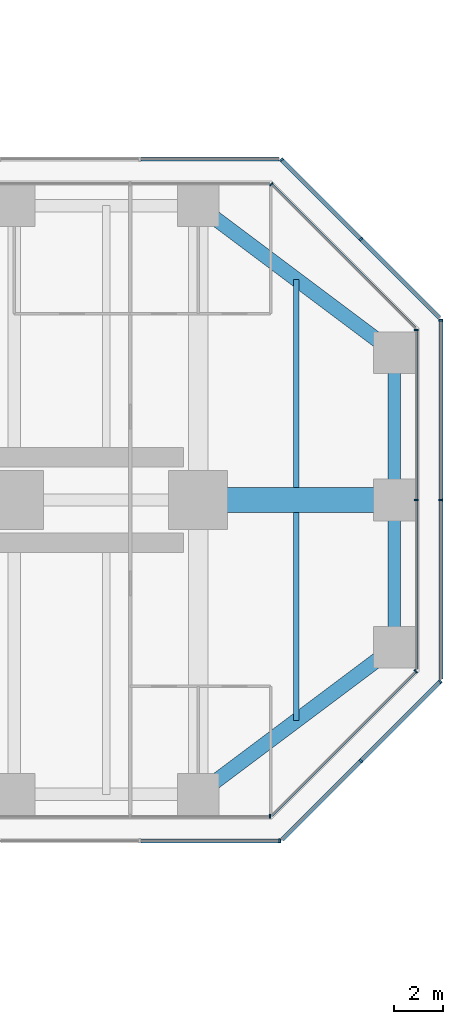
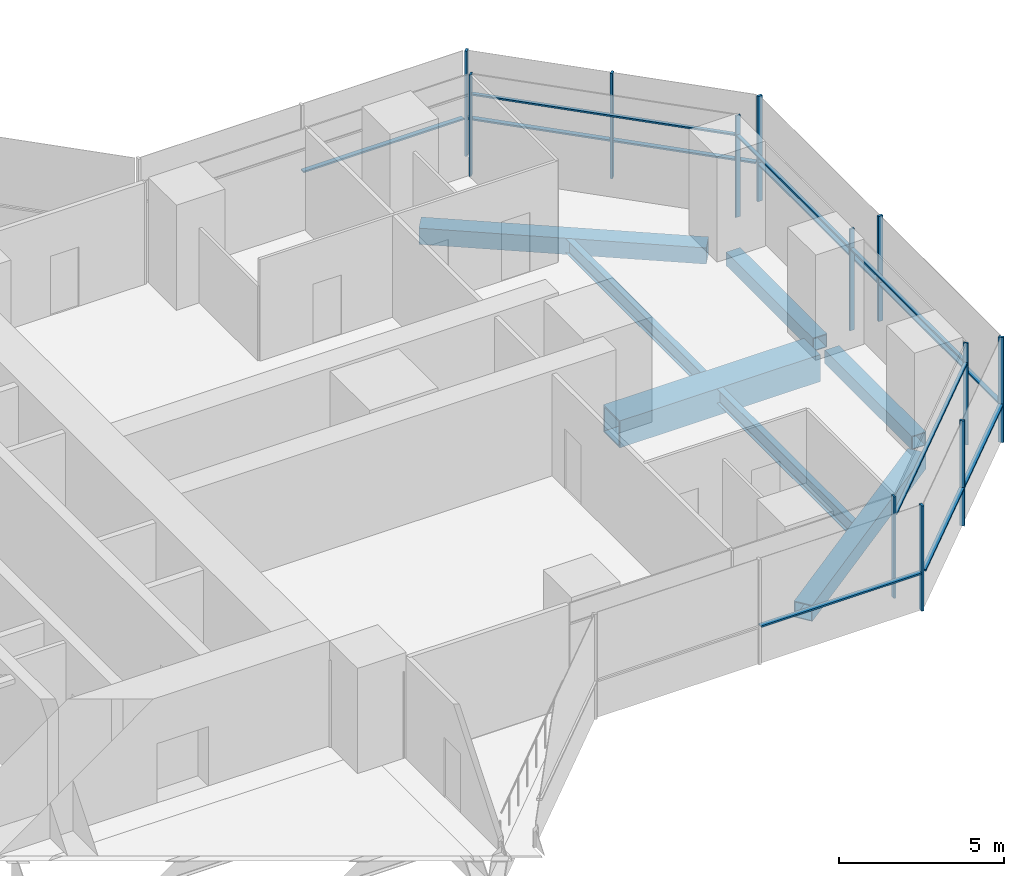
# One storey, part 11 of 19: 24 members, 7 beams, 9 elements without a shape of their own.
"""IFC4 building model written with IfcOpenShell, lengths in metres."""

from ifc_helpers import new_model, si_unit, direction, frame, origin, origin_2d, place, context, subcontext, project, spatial, rectangle, hollow_rectangle, i_section, extrude, material, material_profile, profile_set, type_object, element, aggregate, save


model = new_model("IFC4")

# Units and contexts
model_context = context("Model", 3, precision=1e-05, world=origin(), true_north=direction((0.0, 1.0)))
body_context = subcontext(model_context, "Body", "Model", "MODEL_VIEW")
ifc_project = project(units=[si_unit("LENGTHUNIT", "METRE"), si_unit("AREAUNIT", "SQUARE_METRE"), si_unit("VOLUMEUNIT", "CUBIC_METRE"), si_unit("PLANEANGLEUNIT", "RADIAN"), si_unit("MASSUNIT", "GRAM", prefix="KILO")], contexts=[model_context])

# Site, building, storey
site_placement = place(None, origin())
site = spatial("IfcSite", under=ifc_project, at=site_placement, CompositionType="ELEMENT")
building_placement = place(site_placement, origin())
building = spatial("IfcBuilding", under=site, at=building_placement, Name="Mizan Broadcast Tower", CompositionType="ELEMENT")
storey_placement = place(building_placement, frame((0.0, 0.0, 132.0)))
storey = spatial("IfcBuildingStorey", under=building, at=storey_placement, Name="L29", CompositionType="ELEMENT", Elevation=132.0)

# Beams
ifc_material_1 = material(Name="Steel S355", Category="steel")
ifc_material_profile_1 = material_profile(ifc_material_1, hollow_rectangle(XDim=0.5, YDim=0.5, WallThickness=0.030029296875, at=origin_2d()), Name="BOX 500x500x30")
ifc_profile_set_1 = profile_set([ifc_material_profile_1], Name="Steel S355")
beam_type_1 = type_object("IfcBeamType", Name="EDGE BEAM BOX 500x500x30", PredefinedType="SPANDREL", material=ifc_profile_set_1)
for number, where, z_axis, x_axis, name in (
    (1, (35.0, -5.639892578125, -0.3798828125), (0.0, 1.0, 0.0), (-1.0, 0.0, 0.0), "Edge beam BOX 500x500x30 L29 east arm"),
    (2, (35.0, 5.639892578125, -0.3798828125), (0.0, -1.0, 0.0), (1.0, 0.0, 0.0), "Edge beam BOX 500x500x30 L29 east arm"),
):
    element("IfcBeam", number, at=place(storey_placement, frame(where, z_axis=z_axis, x_axis=x_axis)), inside=storey, type_object=beam_type_1, Name=name, PredefinedType="SPANDREL", context=body_context, shape_type="SweptSolid", body=[
        extrude(hollow_rectangle(XDim=0.5, YDim=0.5, WallThickness=0.030029296875, at=origin_2d()), origin(), (0.0, 0.0, 1.0), 5.27978515625),
    ])
ifc_material_2 = material(Name="Steel S355", Category="steel")
ifc_material_profile_2 = material_profile(ifc_material_2, hollow_rectangle(XDim=0.60009765625, YDim=0.60009765625, WallThickness=0.030029296875, at=origin_2d()), Name="BOX 600x600x30")
ifc_profile_set_2 = profile_set([ifc_material_profile_2], Name="Steel S355")
beam_type_2 = type_object("IfcBeamType", Name="EDGE BEAM BOX 600x600x30", PredefinedType="SPANDREL", material=ifc_profile_set_2)
for number, where, z_axis, x_axis, name in (
    (3, (27.47998046875, -11.639892578125, -0.429931640625), (0.800013316712, 0.599982243973, 0.0), (-0.599982243973, 0.800013316712, 0.0), "Edge beam BOX 600x600x30 L29 east arm"),
    (4, (27.47998046875, 11.639892578125, -0.429931640625), (0.800013316712, -0.599982243973, 0.0), (0.599982243973, 0.800013316712, 0.0), "Edge beam BOX 600x600x30 L29 east arm"),
):
    element("IfcBeam", number, at=place(storey_placement, frame(where, z_axis=z_axis, x_axis=x_axis)), inside=storey, type_object=beam_type_2, Name=name, PredefinedType="SPANDREL", context=body_context, shape_type="SweptSolid", body=[
        extrude(hollow_rectangle(XDim=0.60009765625, YDim=0.60009765625, WallThickness=0.030029296875, at=origin_2d()), origin(), (0.0, 0.0, 1.0), 8.7998046875),
    ])
ifc_material_3 = material(Name="Steel S460", Category="steel")
ifc_material_profile_3 = material_profile(ifc_material_3, hollow_rectangle(XDim=1.0, YDim=1.0, WallThickness=0.06005859375, at=origin_2d()), Name="BOX 1000x1000x60")
ifc_profile_set_3 = profile_set([ifc_material_profile_3], Name="Steel S460")
beam_type_3 = type_object("IfcBeamType", Name="GIRDER BOX 1000x1000x60", PredefinedType="BEAM", material=ifc_profile_set_3)
beam_placement = place(storey_placement, frame((27.47998046875, 0.0, -0.6298828125), z_axis=(1.0, 0.0, 0.0), x_axis=(0.0, 1.0, 0.0)))
element("IfcBeam", 5, at=beam_placement, inside=storey, type_object=beam_type_3, Name="Girder BOX 1000x1000x60 L29 east arm", PredefinedType="BEAM", context=body_context, shape_type="SweptSolid", body=[
    extrude(hollow_rectangle(XDim=1.0, YDim=1.0, WallThickness=0.06005859375, at=origin_2d()), origin(), (0.0, 0.0, 1.0), 7.0400390625),
])

# Curtain wall, member
ifc_material_4 = material(Name="Aluminium framed glazing", Category="aluminium")
curtain_wall_type_1 = type_object("IfcCurtainWallType", Name="INNER SKIN MID ZONE", PredefinedType="USERDEFINED", material=ifc_material_4)
curtain_wall_1_placement = place(storey_placement, origin())
curtain_wall_1 = element("IfcCurtainWall", 6, at=curtain_wall_1_placement, inside=storey, type_object=curtain_wall_type_1, Name="Inner skin mid zone L29 E side", ObjectType="INNER SKIN MID ZONE", PredefinedType="USERDEFINED")
ifc_material_5 = material(Name="Aluminium, pale anodised", Category="aluminium")
ifc_material_profile_4 = material_profile(ifc_material_5, rectangle(XDim=0.159912109375, YDim=0.06005859375, at=origin_2d()), Name="MULLION 160x60")
ifc_profile_set_4 = profile_set([ifc_material_profile_4], Name="Aluminium, pale anodised")
member_type_1 = type_object("IfcMemberType", Name="INNER SKIN MULLION 60x160", PredefinedType="MULLION", material=ifc_profile_set_4)
member_1_placement = place(storey_placement, frame((29.928466796875, -12.89990234375, 0.0), z_axis=(0.0, 0.0, 1.0), x_axis=(0.0, 1.0, 0.0)))
member_1 = element("IfcMember", 7, at=member_1_placement, type_object=member_type_1, Name="Inner skin mid zone L29 E side mullion 3", PredefinedType="MULLION", context=body_context, shape_type="SweptSolid", body=[
    extrude(rectangle(XDim=0.159912109375, YDim=0.06005859375, at=origin_2d()), origin(), (0.0, 0.0, 1.0), 3.77001953125),
])
aggregate(curtain_wall_1, [member_1])

curtain_wall_2_placement = place(storey_placement, origin())
curtain_wall_2 = element("IfcCurtainWall", 8, at=curtain_wall_2_placement, inside=storey, type_object=curtain_wall_type_1, Name="Inner skin mid zone L29 E chamfer", ObjectType="INNER SKIN MID ZONE", PredefinedType="USERDEFINED")
member_2_placement = place(storey_placement, frame((35.87890625, -6.979736328125, 0.0), z_axis=(0.0, 0.0, 1.0), x_axis=(-0.707106781187, 0.707106781187, 0.0)))
member_2 = element("IfcMember", 9, at=member_2_placement, type_object=member_type_1, Name="Inner skin mid zone L29 E chamfer mullion 2", PredefinedType="MULLION", context=body_context, shape_type="SweptSolid", body=[
    extrude(rectangle(XDim=0.159912109375, YDim=0.06005859375, at=origin_2d()), origin(), (0.0, 0.0, 1.0), 3.77001953125),
])

# Curtain wall, members
curtain_wall_3_placement = place(storey_placement, origin())
curtain_wall_3 = element("IfcCurtainWall", 10, at=curtain_wall_3_placement, inside=storey, type_object=curtain_wall_type_1, Name="Inner skin mid zone L29 E end", ObjectType="INNER SKIN MID ZONE", PredefinedType="USERDEFINED")
member_3_placement = place(storey_placement, frame((35.89990234375, 0.0, 0.0), z_axis=(0.0, 0.0, 1.0), x_axis=(-1.0, 0.0, 0.0)))
member_3 = element("IfcMember", 11, at=member_3_placement, type_object=member_type_1, Name="Inner skin mid zone L29 E end mullion 2", PredefinedType="MULLION", context=body_context, shape_type="SweptSolid", body=[
    extrude(rectangle(XDim=0.159912109375, YDim=0.06005859375, at=origin_2d()), origin(), (0.0, 0.0, 1.0), 3.77001953125),
])
member_4_placement = place(storey_placement, frame((35.89990234375, 6.928466796875, 0.0), z_axis=(0.0, 0.0, 1.0), x_axis=(-1.0, 0.0, 0.0)))
member_4 = element("IfcMember", 12, at=member_4_placement, type_object=member_type_1, Name="Inner skin mid zone L29 E end mullion 3", PredefinedType="MULLION", context=body_context, shape_type="SweptSolid", body=[
    extrude(rectangle(XDim=0.159912109375, YDim=0.06005859375, at=origin_2d()), origin(), (0.0, 0.0, 1.0), 3.77001953125),
])

# Curtain wall, member
curtain_wall_4_placement = place(storey_placement, origin())
curtain_wall_4 = element("IfcCurtainWall", 13, at=curtain_wall_4_placement, inside=storey, type_object=curtain_wall_type_1, Name="Inner skin mid zone L29 E chamfer", ObjectType="INNER SKIN MID ZONE", PredefinedType="USERDEFINED")
member_5_placement = place(storey_placement, frame((29.979736328125, 12.87890625, 0.0), z_axis=(0.0, 0.0, 1.0), x_axis=(-0.707106781187, -0.707106781187, 0.0)))
member_5 = element("IfcMember", 14, at=member_5_placement, type_object=member_type_1, Name="Inner skin mid zone L29 E chamfer mullion 2", PredefinedType="MULLION", context=body_context, shape_type="SweptSolid", body=[
    extrude(rectangle(XDim=0.159912109375, YDim=0.06005859375, at=origin_2d()), origin(), (0.0, 0.0, 1.0), 3.77001953125),
])

# Member
ifc_material_6 = material(Name="Aluminium, pale anodised", Category="aluminium")
ifc_material_profile_5 = material_profile(ifc_material_6, rectangle(XDim=0.1201171875, YDim=0.06005859375, at=origin_2d()), Name="TRANSOM 120x60")
ifc_profile_set_5 = profile_set([ifc_material_profile_5], Name="Aluminium, pale anodised")
member_type_2 = type_object("IfcMemberType", Name="INNER SKIN TRANSOM 60x120", PredefinedType="USERDEFINED", material=ifc_profile_set_5)
member_6_placement = place(storey_placement, frame((30.0009765625, -12.857666015625, 3.030029296875), z_axis=(0.707106781187, 0.707106781187, 0.0), x_axis=(-0.707106781187, 0.707106781187, 0.0)))
member_6 = element("IfcMember", 15, at=member_6_placement, type_object=member_type_2, Name="Inner skin mid zone L29 E chamfer transom 1.1", ObjectType="TRANSOM", PredefinedType="USERDEFINED", context=body_context, shape_type="SweptSolid", body=[
    extrude(rectangle(XDim=0.1201171875, YDim=0.06005859375, at=origin_2d()), origin(), (0.0, 0.0, 1.0), 8.28271484375),
])

aggregate(curtain_wall_2, [member_2, member_6])

member_7_placement = place(storey_placement, frame((35.89990234375, -6.898681640625, 3.030029296875), z_axis=(0.0, 1.0, 0.0), x_axis=(-1.0, 0.0, 0.0)))
member_7 = element("IfcMember", 16, at=member_7_placement, type_object=member_type_2, Name="Inner skin mid zone L29 E end transom 1.1", ObjectType="TRANSOM", PredefinedType="USERDEFINED", context=body_context, shape_type="SweptSolid", body=[
    extrude(rectangle(XDim=0.1201171875, YDim=0.06005859375, at=origin_2d()), origin(), (0.0, 0.0, 1.0), 6.86865234375),
])

member_8_placement = place(storey_placement, frame((35.89990234375, 0.030029296875, 3.030029296875), z_axis=(0.0, 1.0, 0.0), x_axis=(-1.0, 0.0, 0.0)))
member_8 = element("IfcMember", 17, at=member_8_placement, type_object=member_type_2, Name="Inner skin mid zone L29 E end transom 2.1", ObjectType="TRANSOM", PredefinedType="USERDEFINED", context=body_context, shape_type="SweptSolid", body=[
    extrude(rectangle(XDim=0.1201171875, YDim=0.06005859375, at=origin_2d()), origin(), (0.0, 0.0, 1.0), 6.86865234375),
])

aggregate(curtain_wall_3, [member_3, member_4, member_7, member_8])

member_9_placement = place(storey_placement, frame((35.857666015625, 7.0009765625, 3.030029296875), z_axis=(-0.707106781187, 0.707106781187, 0.0), x_axis=(-0.707106781187, -0.707106781187, 0.0)))
member_9 = element("IfcMember", 18, at=member_9_placement, type_object=member_type_2, Name="Inner skin mid zone L29 E chamfer transom 1.1", ObjectType="TRANSOM", PredefinedType="USERDEFINED", context=body_context, shape_type="SweptSolid", body=[
    extrude(rectangle(XDim=0.1201171875, YDim=0.06005859375, at=origin_2d()), origin(), (0.0, 0.0, 1.0), 8.28271484375),
])

aggregate(curtain_wall_4, [member_5, member_9])

# Curtain wall, members
ifc_material_7 = material(Name="Aluminium framed glazing", Category="aluminium")
curtain_wall_type_2 = type_object("IfcCurtainWallType", Name="OUTER SKIN", PredefinedType="USERDEFINED", material=ifc_material_7)
curtain_wall_5_placement = place(storey_placement, origin())
curtain_wall_5 = element("IfcCurtainWall", 19, at=curtain_wall_5_placement, inside=storey, type_object=curtain_wall_type_2, Name="Outer skin L29 E chamfer", ObjectType="OUTER SKIN", PredefinedType="USERDEFINED")
ifc_material_8 = material(Name="Aluminium, pale anodised", Category="aluminium")
ifc_material_profile_6 = material_profile(ifc_material_8, rectangle(XDim=0.159912109375, YDim=0.080078125, at=origin_2d()), Name="MULLION 160x80")
ifc_profile_set_6 = profile_set([ifc_material_profile_6], Name="Aluminium, pale anodised")
member_type_3 = type_object("IfcMemberType", Name="OUTER SKIN MULLION 80x160", PredefinedType="MULLION", material=ifc_profile_set_6)
member_10_placement = place(storey_placement, frame((33.636474609375, -10.636474609375, 0.0), z_axis=(0.0, 0.0, 1.0), x_axis=(-0.707106781187, 0.707106781187, 0.0)))
member_10 = element("IfcMember", 20, at=member_10_placement, type_object=member_type_3, Name="Outer skin L29 E chamfer mullion 2", PredefinedType="MULLION", context=body_context, shape_type="SweptSolid", body=[
    extrude(rectangle(XDim=0.159912109375, YDim=0.080078125, at=origin_2d()), origin(), (0.0, 0.0, 1.0), 3.89990234375),
])
member_11_placement = place(storey_placement, frame((36.871826171875, -7.401123046875, 0.0), z_axis=(0.0, 0.0, 1.0), x_axis=(-0.707106781187, 0.707106781187, 0.0)))
member_11 = element("IfcMember", 21, at=member_11_placement, type_object=member_type_3, Name="Outer skin L29 E chamfer mullion 3", PredefinedType="MULLION", context=body_context, shape_type="SweptSolid", body=[
    extrude(rectangle(XDim=0.159912109375, YDim=0.080078125, at=origin_2d()), origin(), (0.0, 0.0, 1.0), 3.89990234375),
])

curtain_wall_6_placement = place(storey_placement, origin())
curtain_wall_6 = element("IfcCurtainWall", 22, at=curtain_wall_6_placement, inside=storey, type_object=curtain_wall_type_2, Name="Outer skin L29 E end", ObjectType="OUTER SKIN", PredefinedType="USERDEFINED")
member_12_placement = place(storey_placement, frame((36.89990234375, 0.0, 0.0), z_axis=(0.0, 0.0, 1.0), x_axis=(-1.0, 0.0, 0.0)))
member_12 = element("IfcMember", 23, at=member_12_placement, type_object=member_type_3, Name="Outer skin L29 E end mullion 2", PredefinedType="MULLION", context=body_context, shape_type="SweptSolid", body=[
    extrude(rectangle(XDim=0.159912109375, YDim=0.080078125, at=origin_2d()), origin(), (0.0, 0.0, 1.0), 3.89990234375),
])
member_13_placement = place(storey_placement, frame((36.89990234375, 7.332763671875, 0.0), z_axis=(0.0, 0.0, 1.0), x_axis=(-1.0, 0.0, 0.0)))
member_13 = element("IfcMember", 24, at=member_13_placement, type_object=member_type_3, Name="Outer skin L29 E end mullion 3", PredefinedType="MULLION", context=body_context, shape_type="SweptSolid", body=[
    extrude(rectangle(XDim=0.159912109375, YDim=0.080078125, at=origin_2d()), origin(), (0.0, 0.0, 1.0), 3.89990234375),
])

curtain_wall_7_placement = place(storey_placement, origin())
curtain_wall_7 = element("IfcCurtainWall", 25, at=curtain_wall_7_placement, inside=storey, type_object=curtain_wall_type_2, Name="Outer skin L29 E chamfer", ObjectType="OUTER SKIN", PredefinedType="USERDEFINED")
member_14_placement = place(storey_placement, frame((33.636474609375, 10.636474609375, 0.0), z_axis=(0.0, 0.0, 1.0), x_axis=(-0.707106781187, -0.707106781187, 0.0)))
member_14 = element("IfcMember", 26, at=member_14_placement, type_object=member_type_3, Name="Outer skin L29 E chamfer mullion 2", PredefinedType="MULLION", context=body_context, shape_type="SweptSolid", body=[
    extrude(rectangle(XDim=0.159912109375, YDim=0.080078125, at=origin_2d()), origin(), (0.0, 0.0, 1.0), 3.89990234375),
])
member_15_placement = place(storey_placement, frame((30.401123046875, 13.871826171875, 0.0), z_axis=(0.0, 0.0, 1.0), x_axis=(-0.707106781187, -0.707106781187, 0.0)))
member_15 = element("IfcMember", 27, at=member_15_placement, type_object=member_type_3, Name="Outer skin L29 E chamfer mullion 3", PredefinedType="MULLION", context=body_context, shape_type="SweptSolid", body=[
    extrude(rectangle(XDim=0.159912109375, YDim=0.080078125, at=origin_2d()), origin(), (0.0, 0.0, 1.0), 3.89990234375),
])

# Curtain wall, member
curtain_wall_8_placement = place(storey_placement, origin())
curtain_wall_8 = element("IfcCurtainWall", 28, at=curtain_wall_8_placement, inside=storey, type_object=curtain_wall_type_2, Name="Outer skin L29 E side", ObjectType="OUTER SKIN", PredefinedType="USERDEFINED")
member_16_placement = place(storey_placement, frame((30.332763671875, -13.89990234375, 0.0), z_axis=(0.0, 0.0, 1.0), x_axis=(0.0, 1.0, 0.0)))
member_16 = element("IfcMember", 29, at=member_16_placement, type_object=member_type_3, Name="Outer skin L29 E side mullion 3", PredefinedType="MULLION", context=body_context, shape_type="SweptSolid", body=[
    extrude(rectangle(XDim=0.159912109375, YDim=0.080078125, at=origin_2d()), origin(), (0.0, 0.0, 1.0), 3.89990234375),
])

# Member
ifc_material_9 = material(Name="Aluminium, pale anodised", Category="aluminium")
ifc_material_profile_7 = material_profile(ifc_material_9, rectangle(XDim=0.159912109375, YDim=0.06005859375, at=origin_2d()), Name="TRANSOM 160x60")
ifc_profile_set_7 = profile_set([ifc_material_profile_7], Name="Aluminium, pale anodised")
member_type_4 = type_object("IfcMemberType", Name="OUTER SKIN TRANSOM 60x160", PredefinedType="USERDEFINED", material=ifc_profile_set_7)
member_17_placement = place(storey_placement, frame((30.429443359375, -13.843505859375, 1.39990234375), z_axis=(0.707106781187, 0.707106781187, 0.0), x_axis=(-0.707106781187, 0.707106781187, 0.0)))
member_17 = element("IfcMember", 30, at=member_17_placement, type_object=member_type_4, Name="Outer skin L29 E chamfer transom 1.1", ObjectType="TRANSOM", PredefinedType="USERDEFINED", context=body_context, shape_type="SweptSolid", body=[
    extrude(rectangle(XDim=0.159912109375, YDim=0.06005859375, at=origin_2d()), origin(), (0.0, 0.0, 1.0), 4.495361328125),
])

member_18_placement = place(storey_placement, frame((33.664794921875, -10.608154296875, 1.39990234375), z_axis=(0.707106781187, 0.707106781187, 0.0), x_axis=(-0.707106781187, 0.707106781187, 0.0)))
member_18 = element("IfcMember", 31, at=member_18_placement, type_object=member_type_4, Name="Outer skin L29 E chamfer transom 2.1", ObjectType="TRANSOM", PredefinedType="USERDEFINED", context=body_context, shape_type="SweptSolid", body=[
    extrude(rectangle(XDim=0.159912109375, YDim=0.06005859375, at=origin_2d()), origin(), (0.0, 0.0, 1.0), 4.495361328125),
])

aggregate(curtain_wall_5, [member_10, member_11, member_17, member_18])

member_19_placement = place(storey_placement, frame((36.89990234375, -7.292724609375, 1.39990234375), z_axis=(0.0, 1.0, 0.0), x_axis=(-1.0, 0.0, 0.0)))
member_19 = element("IfcMember", 32, at=member_19_placement, type_object=member_type_4, Name="Outer skin L29 E end transom 1.1", ObjectType="TRANSOM", PredefinedType="USERDEFINED", context=body_context, shape_type="SweptSolid", body=[
    extrude(rectangle(XDim=0.159912109375, YDim=0.06005859375, at=origin_2d()), origin(), (0.0, 0.0, 1.0), 7.252685546875),
])

member_20_placement = place(storey_placement, frame((36.89990234375, 0.0400390625, 1.39990234375), z_axis=(0.0, 1.0, 0.0), x_axis=(-1.0, 0.0, 0.0)))
member_20 = element("IfcMember", 33, at=member_20_placement, type_object=member_type_4, Name="Outer skin L29 E end transom 2.1", ObjectType="TRANSOM", PredefinedType="USERDEFINED", context=body_context, shape_type="SweptSolid", body=[
    extrude(rectangle(XDim=0.159912109375, YDim=0.06005859375, at=origin_2d()), origin(), (0.0, 0.0, 1.0), 7.252685546875),
])

aggregate(curtain_wall_6, [member_12, member_13, member_19, member_20])

member_21_placement = place(storey_placement, frame((36.843505859375, 7.429443359375, 1.39990234375), z_axis=(-0.707106781187, 0.707106781187, 0.0), x_axis=(-0.707106781187, -0.707106781187, 0.0)))
member_21 = element("IfcMember", 34, at=member_21_placement, type_object=member_type_4, Name="Outer skin L29 E chamfer transom 1.1", ObjectType="TRANSOM", PredefinedType="USERDEFINED", context=body_context, shape_type="SweptSolid", body=[
    extrude(rectangle(XDim=0.159912109375, YDim=0.06005859375, at=origin_2d()), origin(), (0.0, 0.0, 1.0), 4.495361328125),
])

member_22_placement = place(storey_placement, frame((33.608154296875, 10.664794921875, 1.39990234375), z_axis=(-0.707106781187, 0.707106781187, 0.0), x_axis=(-0.707106781187, -0.707106781187, 0.0)))
member_22 = element("IfcMember", 35, at=member_22_placement, type_object=member_type_4, Name="Outer skin L29 E chamfer transom 2.1", ObjectType="TRANSOM", PredefinedType="USERDEFINED", context=body_context, shape_type="SweptSolid", body=[
    extrude(rectangle(XDim=0.159912109375, YDim=0.06005859375, at=origin_2d()), origin(), (0.0, 0.0, 1.0), 4.495361328125),
])

aggregate(curtain_wall_7, [member_14, member_15, member_21, member_22])

# Curtain wall, member
curtain_wall_9_placement = place(storey_placement, origin())
curtain_wall_9 = element("IfcCurtainWall", 36, at=curtain_wall_9_placement, inside=storey, type_object=curtain_wall_type_2, Name="Outer skin L29 E side", ObjectType="OUTER SKIN", PredefinedType="USERDEFINED")
member_23_placement = place(storey_placement, frame((30.292724609375, 13.89990234375, 1.39990234375), z_axis=(-1.0, 0.0, 0.0), x_axis=(0.0, -1.0, 0.0)))
member_23 = element("IfcMember", 37, at=member_23_placement, type_object=member_type_4, Name="Outer skin L29 E side transom 1.1", ObjectType="TRANSOM", PredefinedType="USERDEFINED", context=body_context, shape_type="SweptSolid", body=[
    extrude(rectangle(XDim=0.159912109375, YDim=0.06005859375, at=origin_2d()), origin(), (0.0, 0.0, 1.0), 5.6298828125),
])
aggregate(curtain_wall_9, [member_23])

# Member
member_24_placement = place(storey_placement, frame((24.662841796875, -13.89990234375, 1.39990234375), z_axis=(1.0, 0.0, 0.0), x_axis=(0.0, 1.0, 0.0)))
member_24 = element("IfcMember", 38, at=member_24_placement, type_object=member_type_4, Name="Outer skin L29 E side transom 2.1", ObjectType="TRANSOM", PredefinedType="USERDEFINED", context=body_context, shape_type="SweptSolid", body=[
    extrude(rectangle(XDim=0.159912109375, YDim=0.06005859375, at=origin_2d()), origin(), (0.0, 0.0, 1.0), 5.6298828125),
])

aggregate(curtain_wall_8, [member_16, member_24])

# Beams
ifc_material_10 = material(Name="Steel S355", Category="steel")
ifc_material_profile_8 = material_profile(ifc_material_10, i_section(OverallWidth=0.2099609375, OverallDepth=0.550048828125, WebThickness=0.010986328125, FlangeThickness=0.01708984375, FilletRadius=0.02392578125, at=origin_2d()), Name="IPE 550")
ifc_profile_set_8 = profile_set([ifc_material_profile_8], Name="Steel S355")
beam_type_4 = type_object("IfcBeamType", Name="SECONDARY BEAM IPE 550", PredefinedType="JOIST", material=ifc_profile_set_8)
for number, where, z_axis, x_axis, name in (
    (39, (31.0, -9.0, -0.405029296875), (0.0, 1.0, 0.0), (-1.0, 0.0, 0.0), "Secondary beam IPE 550 L29 east arm"),
    (40, (31.0, 9.0, -0.405029296875), (0.0, -1.0, 0.0), (1.0, 0.0, 0.0), "Secondary beam IPE 550 L29 east arm"),
):
    element("IfcBeam", number, at=place(storey_placement, frame(where, z_axis=z_axis, x_axis=x_axis)), inside=storey, type_object=beam_type_4, Name=name, PredefinedType="JOIST", context=body_context, shape_type="SweptSolid", body=[
        extrude(i_section(OverallWidth=0.2099609375, OverallDepth=0.550048828125, WebThickness=0.010986328125, FlangeThickness=0.01708984375, FilletRadius=0.02392578125, at=origin_2d()), origin(), (0.0, 0.0, 1.0), 8.5),
    ])

save(model, "model.ifc")
